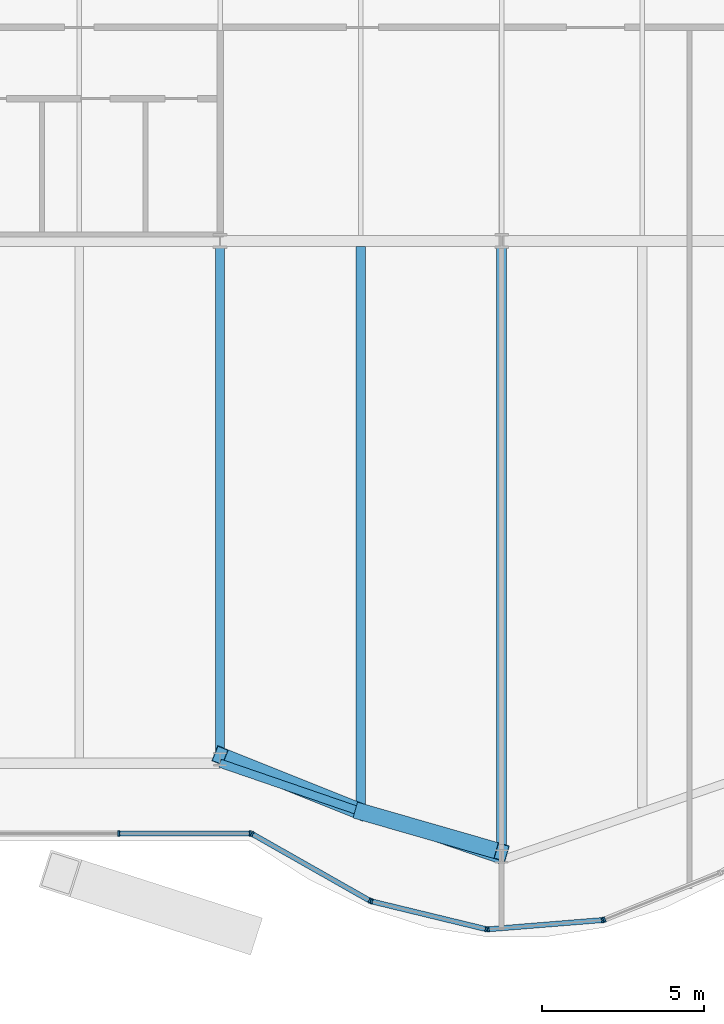
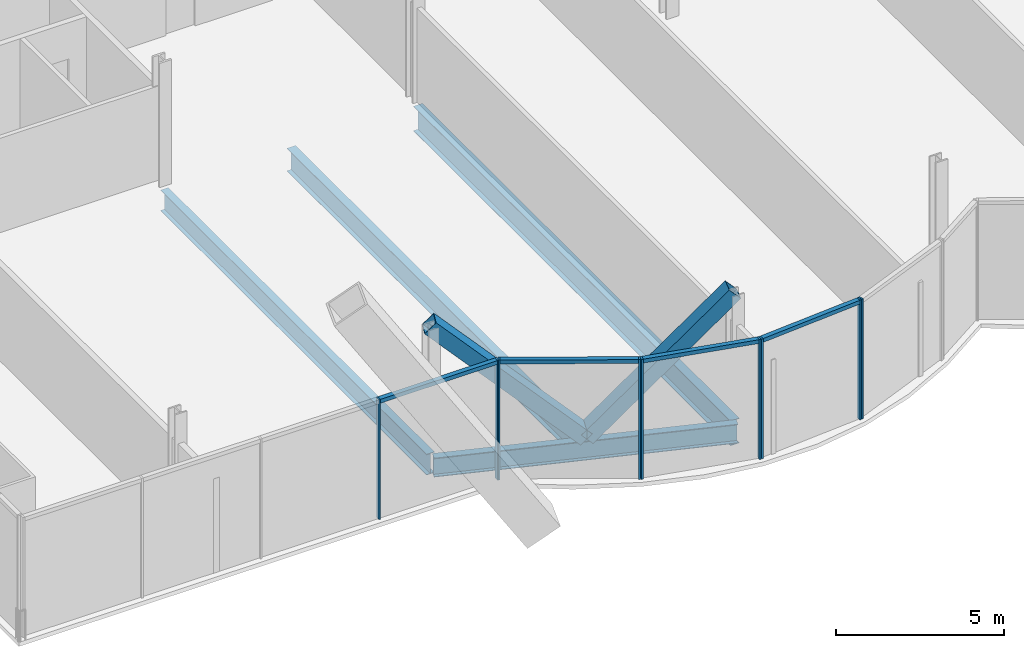
# One storey, part 6 of 23: 15 members, 4 beams, 2 elements without a shape of their own.
"""IFC4 building model written with IfcOpenShell, lengths in metres."""

from ifc_helpers import new_model, si_unit, direction, frame, origin, origin_2d, place, context, subcontext, project, spatial, rectangle, hollow_rectangle, i_section, extrude, material, material_profile, profile_set, type_object, element, aggregate, save


model = new_model("IFC4")

# Units and contexts
model_context = context("Model", 3, precision=1e-05, world=origin(), true_north=direction((0.0, 1.0)))
body_context = subcontext(model_context, "Body", "Model", "MODEL_VIEW")
ifc_project = project(units=[si_unit("LENGTHUNIT", "METRE"), si_unit("AREAUNIT", "SQUARE_METRE"), si_unit("VOLUMEUNIT", "CUBIC_METRE"), si_unit("PLANEANGLEUNIT", "RADIAN"), si_unit("MASSUNIT", "GRAM", prefix="KILO")], contexts=[model_context])

# Site, building, storey
site_placement = place(None, origin())
site = spatial("IfcSite", under=ifc_project, at=site_placement, CompositionType="ELEMENT")
building_placement = place(site_placement, origin())
building = spatial("IfcBuilding", under=site, at=building_placement, Name="Bicima Exchange Tower", CompositionType="ELEMENT")
storey_placement = place(building_placement, frame((0.0, 0.0, 62.0)))
storey = spatial("IfcBuildingStorey", under=building, at=storey_placement, Name="L12", CompositionType="ELEMENT", Elevation=62.0)

# Beams
ifc_material_1 = material(Name="Steel ASTM A992 Gr 50", Category="steel")
ifc_material_profile_1 = material_profile(ifc_material_1, i_section(OverallWidth=0.2666015625, OverallDepth=0.75439453125, WebThickness=0.01318359375, FlangeThickness=0.01708984375, at=origin_2d()))
ifc_profile_set_1 = profile_set([ifc_material_profile_1], Name="Steel ASTM A992 Gr 50")
beam_type_1 = type_object("IfcBeamType", Name="Floor beam W30x99", PredefinedType="JOIST", material=ifc_profile_set_1)
beam_1_placement = place(storey_placement, frame((-17.39990234375, -22.16259765625, -0.527099609375), z_axis=(0.0, -1.0, 0.0), x_axis=(1.0, 0.0, 0.0)))
element("IfcBeam", 1, at=beam_1_placement, inside=storey, type_object=beam_type_1, Name="Floor beam", PredefinedType="JOIST", context=body_context, shape_type="SweptSolid", body=[
    extrude(i_section(OverallWidth=0.2666015625, OverallDepth=0.75439453125, WebThickness=0.01318359375, FlangeThickness=0.01708984375, at=origin_2d()), origin(), (0.0, 0.0, 1.0), 15.810791015625),
])
ifc_material_profile_2 = material_profile(ifc_material_1, i_section(OverallWidth=0.2919921875, OverallDepth=0.835693359375, WebThickness=0.013916015625, FlangeThickness=0.018798828125, at=origin_2d()))
ifc_profile_set_2 = profile_set([ifc_material_profile_2], Name="Steel ASTM A992 Gr 50")
beam_type_2 = type_object("IfcBeamType", Name="Floor beam W33x118", PredefinedType="JOIST", material=ifc_profile_set_2)
beam_2_placement = place(storey_placement, frame((-13.050048828125, -22.16259765625, -0.56787109375), z_axis=(0.0, -1.0, 0.0), x_axis=(1.0, 0.0, 0.0)))
element("IfcBeam", 2, at=beam_2_placement, inside=storey, type_object=beam_type_2, Name="Floor beam", PredefinedType="JOIST", context=body_context, shape_type="SweptSolid", body=[
    extrude(i_section(OverallWidth=0.2919921875, OverallDepth=0.835693359375, WebThickness=0.013916015625, FlangeThickness=0.018798828125, at=origin_2d()), origin(), (0.0, 0.0, 1.0), 17.333251953125),
])
ifc_material_profile_3 = material_profile(ifc_material_1, i_section(OverallWidth=0.3046875, OverallDepth=0.904296875, WebThickness=0.01513671875, FlangeThickness=0.02001953125, at=origin_2d()))
ifc_profile_set_3 = profile_set([ifc_material_profile_3], Name="Steel ASTM A992 Gr 50")
beam_type_3 = type_object("IfcBeamType", Name="Floor beam W36x135", PredefinedType="JOIST", material=ifc_profile_set_3)
beam_3_placement = place(storey_placement, frame((-8.699951171875, -22.16259765625, -0.60205078125), z_axis=(0.0, -1.0, 0.0), x_axis=(1.0, 0.0, 0.0)))
element("IfcBeam", 3, at=beam_3_placement, inside=storey, type_object=beam_type_3, Name="Floor beam", PredefinedType="JOIST", context=body_context, shape_type="SweptSolid", body=[
    extrude(i_section(OverallWidth=0.3046875, OverallDepth=0.904296875, WebThickness=0.01513671875, FlangeThickness=0.02001953125, at=origin_2d()), origin(), (0.0, 0.0, 1.0), 18.828857421875),
])
ifc_material_profile_4 = material_profile(ifc_material_1, i_section(OverallWidth=0.256591796875, OverallDepth=0.693359375, WebThickness=0.014404296875, FlangeThickness=0.023681640625, at=origin_2d()))
ifc_profile_set_4 = profile_set([ifc_material_profile_4], Name="Steel ASTM A992 Gr 50")
beam_type_4 = type_object("IfcBeamType", Name="Front girder W27x114", PredefinedType="BEAM", material=ifc_profile_set_4)
beam_4_placement = place(storey_placement, frame((-17.39990234375, -38.135986328125, -0.49658203125), z_axis=(0.945666456746, -0.325138359143, 0.0), x_axis=(0.325138359143, 0.945666456746, 0.0)))
element("IfcBeam", 4, at=beam_4_placement, inside=storey, type_object=beam_type_4, Name="Front girder", PredefinedType="BEAM", context=body_context, shape_type="SweptSolid", body=[
    extrude(i_section(OverallWidth=0.256591796875, OverallDepth=0.693359375, WebThickness=0.014404296875, FlangeThickness=0.023681640625, at=origin_2d()), origin(), (0.0, 0.0, 1.0), 9.19970703125),
])

# Curtain wall, members
ifc_material_2 = material(Name="Anodised bronze aluminium", Category="aluminium")
curtain_wall_type = type_object("IfcCurtainWallType", Name="Front glass wall", PredefinedType="NOTDEFINED", material=ifc_material_2)
curtain_wall_1_placement = place(storey_placement, origin())
curtain_wall_1 = element("IfcCurtainWall", 5, at=curtain_wall_1_placement, inside=storey, type_object=curtain_wall_type, Name="Front glass wall L12 run 5", PredefinedType="NOTDEFINED")
ifc_material_profile_5 = material_profile(ifc_material_2, rectangle(XDim=0.159912109375, YDim=0.06005859375, at=origin_2d()))
ifc_profile_set_5 = profile_set([ifc_material_profile_5], Name="Anodised bronze aluminium")
member_type_1 = type_object("IfcMemberType", Name="Front glass wall mullion 60 x 160", PredefinedType="MULLION", material=ifc_profile_set_5)
member_1_placement = place(storey_placement, frame((-20.531494140625, -40.305908203125, 0.0), z_axis=(0.0, 0.0, 1.0), x_axis=(0.0, 1.0, 0.0)))
member_1 = element("IfcMember", 6, at=member_1_placement, type_object=member_type_1, Name="Front glass wall mullion 4", PredefinedType="MULLION", context=body_context, shape_type="SweptSolid", body=[
    extrude(rectangle(XDim=0.159912109375, YDim=0.06005859375, at=origin_2d()), origin(), (0.0, 0.0, 1.0), 4.35009765625),
])
member_2_placement = place(storey_placement, frame((-16.462158203125, -40.305908203125, 0.0), z_axis=(0.0, 0.0, 1.0), x_axis=(0.0, 1.0, 0.0)))
member_2 = element("IfcMember", 7, at=member_2_placement, type_object=member_type_1, Name="Front glass wall mullion 5", PredefinedType="MULLION", context=body_context, shape_type="SweptSolid", body=[
    extrude(rectangle(XDim=0.159912109375, YDim=0.06005859375, at=origin_2d()), origin(), (0.0, 0.0, 1.0), 4.35009765625),
])

curtain_wall_2_placement = place(storey_placement, origin())
curtain_wall_2 = element("IfcCurtainWall", 8, at=curtain_wall_2_placement, inside=storey, type_object=curtain_wall_type, Name="Front glass wall L12 run 6", PredefinedType="NOTDEFINED")
member_3_placement = place(storey_placement, frame((-16.406005859375, -40.32080078125, 0.0), z_axis=(0.0, 0.0, 1.0), x_axis=(0.493395449343, 0.869805110681, 0.0)))
member_3 = element("IfcMember", 9, at=member_3_placement, type_object=member_type_1, Name="Front glass wall mullion 1", PredefinedType="MULLION", context=body_context, shape_type="SweptSolid", body=[
    extrude(rectangle(XDim=0.159912109375, YDim=0.06005859375, at=origin_2d()), origin(), (0.0, 0.0, 1.0), 4.35009765625),
])
member_4_placement = place(storey_placement, frame((-12.7734375, -42.38134765625, 0.0), z_axis=(0.0, 0.0, 1.0), x_axis=(0.493395449343, 0.869805110681, 0.0)))
member_4 = element("IfcMember", 10, at=member_4_placement, type_object=member_type_1, Name="Front glass wall mullion 2", PredefinedType="MULLION", context=body_context, shape_type="SweptSolid", body=[
    extrude(rectangle(XDim=0.159912109375, YDim=0.06005859375, at=origin_2d()), origin(), (0.0, 0.0, 1.0), 4.35009765625),
])
member_5_placement = place(storey_placement, frame((-12.718017578125, -42.4033203125, 0.0), z_axis=(0.0, 0.0, 1.0), x_axis=(0.235681529503, 0.971830343553, 0.0)))
member_5 = element("IfcMember", 11, at=member_5_placement, type_object=member_type_1, Name="Front glass wall mullion 1", PredefinedType="MULLION", context=body_context, shape_type="SweptSolid", body=[
    extrude(rectangle(XDim=0.159912109375, YDim=0.06005859375, at=origin_2d()), origin(), (0.0, 0.0, 1.0), 4.35009765625),
])
member_6_placement = place(storey_placement, frame((-9.177490234375, -43.261962890625, 0.0), z_axis=(0.0, 0.0, 1.0), x_axis=(0.235681529503, 0.971830343553, 0.0)))
member_6 = element("IfcMember", 12, at=member_6_placement, type_object=member_type_1, Name="Front glass wall mullion 2", PredefinedType="MULLION", context=body_context, shape_type="SweptSolid", body=[
    extrude(rectangle(XDim=0.159912109375, YDim=0.06005859375, at=origin_2d()), origin(), (0.0, 0.0, 1.0), 4.35009765625),
])
member_7_placement = place(storey_placement, frame((-9.118408203125, -43.2666015625, 0.0), z_axis=(0.0, 0.0, 1.0), x_axis=(-0.080588612633, 0.99674744821, 0.0)))
member_7 = element("IfcMember", 13, at=member_7_placement, type_object=member_type_1, Name="Front glass wall mullion 1", PredefinedType="MULLION", context=body_context, shape_type="SweptSolid", body=[
    extrude(rectangle(XDim=0.159912109375, YDim=0.06005859375, at=origin_2d()), origin(), (0.0, 0.0, 1.0), 4.35009765625),
])
member_8_placement = place(storey_placement, frame((-5.583984375, -42.980712890625, 0.0), z_axis=(0.0, 0.0, 1.0), x_axis=(-0.080588612633, 0.99674744821, 0.0)))
member_8 = element("IfcMember", 14, at=member_8_placement, type_object=member_type_1, Name="Front glass wall mullion 2", PredefinedType="MULLION", context=body_context, shape_type="SweptSolid", body=[
    extrude(rectangle(XDim=0.159912109375, YDim=0.06005859375, at=origin_2d()), origin(), (0.0, 0.0, 1.0), 4.35009765625),
])
member_9_placement = place(storey_placement, frame((-5.526123046875, -42.96728515625, 0.0), z_axis=(0.0, 0.0, 1.0), x_axis=(-0.374705304, 0.92714396679, 0.0)))
member_9 = element("IfcMember", 15, at=member_9_placement, type_object=member_type_1, Name="Front glass wall mullion 1", PredefinedType="MULLION", context=body_context, shape_type="SweptSolid", body=[
    extrude(rectangle(XDim=0.159912109375, YDim=0.06005859375, at=origin_2d()), origin(), (0.0, 0.0, 1.0), 4.35009765625),
])

# Member
ifc_material_profile_6 = material_profile(ifc_material_2, rectangle(XDim=0.159912109375, YDim=0.139892578125, at=origin_2d()))
ifc_profile_set_6 = profile_set([ifc_material_profile_6], Name="Anodised bronze aluminium")
member_type_2 = type_object("IfcMemberType", Name="Front glass wall transom 140 x 160", PredefinedType="USERDEFINED", material=ifc_profile_set_6)
member_10_placement = place(storey_placement, frame((-20.501708984375, -40.305908203125, 4.280029296875), z_axis=(1.0, 0.0, 0.0), x_axis=(0.0, 1.0, 0.0)))
member_10 = element("IfcMember", 16, at=member_10_placement, type_object=member_type_2, Name="Front glass wall transom 4.1", ObjectType="TRANSOM", PredefinedType="USERDEFINED", context=body_context, shape_type="SweptSolid", body=[
    extrude(rectangle(XDim=0.159912109375, YDim=0.139892578125, at=origin_2d()), origin(), (0.0, 0.0, 1.0), 4.009521484375),
])

aggregate(curtain_wall_1, [member_1, member_2, member_10])

member_11_placement = place(storey_placement, frame((-16.3798828125, -40.335693359375, 4.280029296875), z_axis=(0.869797371721, -0.49340909208, 0.0), x_axis=(0.49340909208, 0.869797371721, 0.0)))
member_11 = element("IfcMember", 17, at=member_11_placement, type_object=member_type_2, Name="Front glass wall transom 1.1", ObjectType="TRANSOM", PredefinedType="USERDEFINED", context=body_context, shape_type="SweptSolid", body=[
    extrude(rectangle(XDim=0.159912109375, YDim=0.139892578125, at=origin_2d()), origin(), (0.0, 0.0, 1.0), 4.1162109375),
])

member_12_placement = place(storey_placement, frame((-12.68896484375, -42.410400390625, 4.280029296875), z_axis=(0.971833557815, -0.235668275132, 0.0), x_axis=(0.235668275132, 0.971833557815, 0.0)))
member_12 = element("IfcMember", 18, at=member_12_placement, type_object=member_type_2, Name="Front glass wall transom 1.1", ObjectType="TRANSOM", PredefinedType="USERDEFINED", context=body_context, shape_type="SweptSolid", body=[
    extrude(rectangle(XDim=0.159912109375, YDim=0.139892578125, at=origin_2d()), origin(), (0.0, 0.0, 1.0), 3.583251953125),
])

member_13_placement = place(storey_placement, frame((-9.08837890625, -43.26416015625, 4.280029296875), z_axis=(0.9967456465, 0.080610893699, 0.0), x_axis=(-0.080610893699, 0.9967456465, 0.0)))
member_13 = element("IfcMember", 19, at=member_13_placement, type_object=member_type_2, Name="Front glass wall transom 1.1", ObjectType="TRANSOM", PredefinedType="USERDEFINED", context=body_context, shape_type="SweptSolid", body=[
    extrude(rectangle(XDim=0.159912109375, YDim=0.139892578125, at=origin_2d()), origin(), (0.0, 0.0, 1.0), 3.48583984375),
])

aggregate(curtain_wall_2, [member_3, member_4, member_11, member_5, member_6, member_12, member_7, member_8, member_13, member_9])

# Members
ifc_material_3 = material(Name="Steel ASTM A572 Gr 50", Category="steel")
ifc_material_profile_7 = material_profile(ifc_material_3, hollow_rectangle(XDim=0.508056640625, YDim=0.508056640625, WallThickness=0.017822265625, at=origin_2d()))
ifc_profile_set_7 = profile_set([ifc_material_profile_7], Name="Steel ASTM A572 Gr 50")
member_type_3 = type_object("IfcMemberType", Name="Mega brace HSS20x20x3/4", PredefinedType="BRACE", material=ifc_profile_set_7)
member_14_placement = place(storey_placement, frame((-13.050048828125, -39.631591796875, 0.0), z_axis=(0.681539584879, -0.196069812105, 0.705025122264), x_axis=(0.276473064615, 0.961021667052, 0.0)))
element("IfcMember", 20, at=member_14_placement, inside=storey, type_object=member_type_3, Name="Mega brace front", PredefinedType="BRACE", context=body_context, shape_type="SweptSolid", body=[
    extrude(hollow_rectangle(XDim=0.508056640625, YDim=0.508056640625, WallThickness=0.017822265625, at=origin_2d()), origin(), (0.0, 0.0, 1.0), 6.3828125),
])
member_15_placement = place(storey_placement, frame((-13.050048828125, -39.631591796875, 0.0), z_axis=(-0.669627633412, 0.267783402821, 0.692741569234), x_axis=(-0.371309808925, -0.928509033772, 0.0)))
element("IfcMember", 21, at=member_15_placement, inside=storey, type_object=member_type_3, Name="Mega brace front", PredefinedType="BRACE", context=body_context, shape_type="SweptSolid", body=[
    extrude(hollow_rectangle(XDim=0.508056640625, YDim=0.508056640625, WallThickness=0.017822265625, at=origin_2d()), origin(), (0.0, 0.0, 1.0), 6.495849609375),
])

save(model, "model.ifc")
